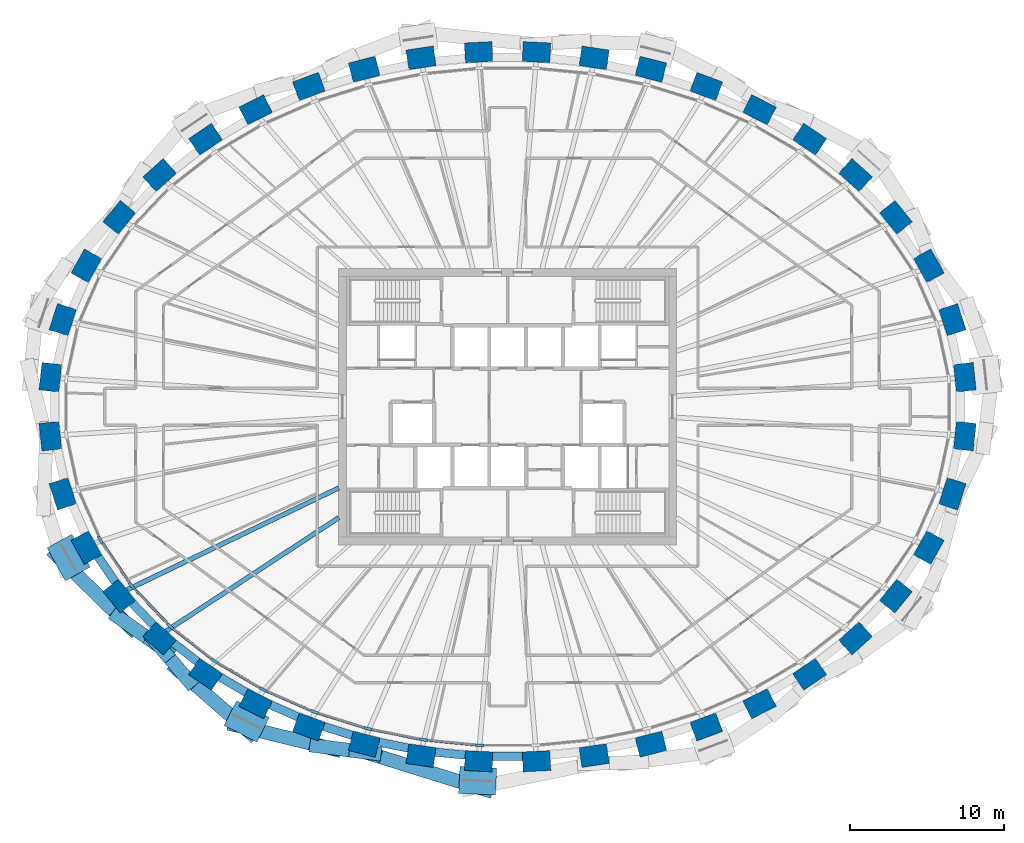
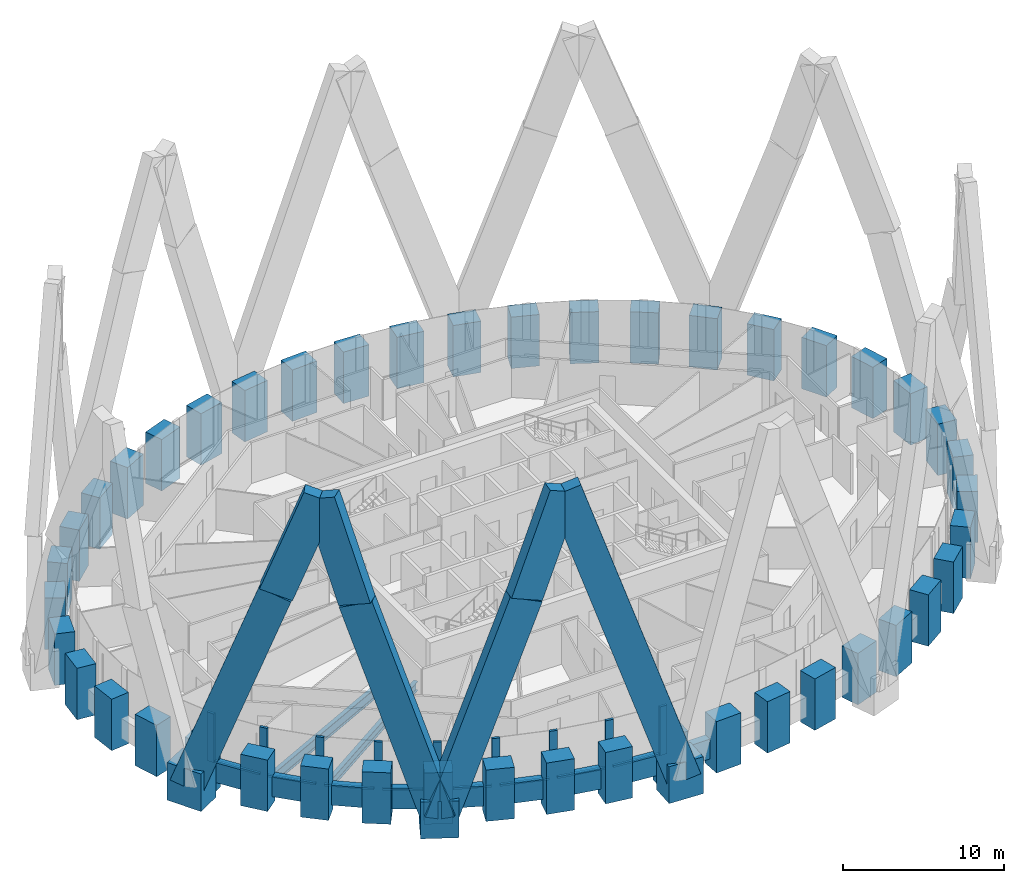
# One storey, part 1 of 13: 44 columns, 27 members, 11 beams, 1 element without a shape of its own.
"""IFC4 building model written with IfcOpenShell, lengths in metres."""

from ifc_helpers import new_model, si_unit, direction, frame, origin, origin_2d, place, context, subcontext, project, spatial, rectangle, i_section, extrude, source, transform, mapped, material, material_profile, profile_set, type_object, element, aggregate, save


model = new_model("IFC4")

# Units and contexts
model_context = context("Model", 3, precision=1e-05, world=origin(), true_north=direction((0.0, 1.0)))
body_context = subcontext(model_context, "Body", "Model", "MODEL_VIEW")
ifc_project = project(units=[si_unit("LENGTHUNIT", "METRE"), si_unit("AREAUNIT", "SQUARE_METRE"), si_unit("VOLUMEUNIT", "CUBIC_METRE"), si_unit("PLANEANGLEUNIT", "RADIAN"), si_unit("MASSUNIT", "GRAM", prefix="KILO")], contexts=[model_context])

# Site, building, storey
site_placement = place(None, origin())
site = spatial("IfcSite", under=ifc_project, at=site_placement, CompositionType="ELEMENT")
building_placement = place(site_placement, origin())
building = spatial("IfcBuilding", under=site, at=building_placement, Name="Embergate Tower", CompositionType="ELEMENT")
storey_placement = place(building_placement, frame((0.0, 0.0, 316.89990234375)))
storey = spatial("IfcBuildingStorey", under=building, at=storey_placement, Name="L74", CompositionType="ELEMENT", Elevation=316.89990234375)

# Columns
ifc_material_1 = material(Name="Concrete C50", Category="concrete")
ifc_material_profile_1 = material_profile(ifc_material_1, rectangle(XDim=1.300048828125, YDim=1.800048828125, at=origin_2d()), Name="RC 1300x1800")
ifc_profile_set_1 = profile_set([ifc_material_profile_1], Name="Concrete C50")
column_type = type_object("IfcColumnType", Name="Ring column RC 1300x1800 C50", PredefinedType="COLUMN", material=ifc_profile_set_1)
shared_shape_1 = source(origin(), body_context, "Body", "SweptSolid", [
    extrude(rectangle(XDim=1.300048828125, YDim=1.800048828125, at=origin_2d()), origin(), (0.0, 0.0, 1.0), 3.89990234375),
])
for number, where, z_axis, x_axis, name in (
    (1, (29.784912109375, 1.919921875, -1.39990234375), (0.0, 0.0, 1.0), (0.99428589498, 0.106749983816, 0.0), "COL-L74-00"),
    (2, (28.97802734375, 5.672119140625, -1.39990234375), (0.0, 0.0, 1.0), (0.950754033697, 0.309946394413, 0.0), "COL-L74-01"),
    (3, (27.43994140625, 9.178955078125, -1.39990234375), (0.0, 0.0, 1.0), (0.873500465855, 0.486823311018, 0.0), "COL-L74-02"),
    (4, (25.2939453125, 12.3359375, -1.39990234375), (0.0, 0.0, 1.0), (0.775925311702, 0.630824786022, 0.0), "COL-L74-03"),
    (5, (22.6669921875, 15.090087890625, -1.39990234375), (0.0, 0.0, 1.0), (0.669221393633, 0.743063070206, 0.0), "COL-L74-04"),
    (6, (19.675048828125, 17.426025390625, -1.39990234375), (0.0, 0.0, 1.0), (0.560393279442, 0.828226643109, 0.0), "COL-L74-05"),
    (7, (16.409912109375, 19.345947265625, -1.39990234375), (0.0, 0.0, 1.0), (0.453010512651, 0.891505174089, 0.0), "COL-L74-06"),
    (8, (12.945068359375, 20.861083984375, -1.39990234375), (0.0, 0.0, 1.0), (0.348343015724, 0.93736713373, 0.0), "COL-L74-07"),
    (9, (9.339111328125, 21.98388671875, -1.39990234375), (0.0, 0.0, 1.0), (0.24650851817, 0.969140624713, 0.0), "COL-L74-08"),
    (10, (5.638916015625, 22.72607421875, -1.39990234375), (0.0, 0.0, 1.0), (0.146929011949, 0.989147039346, 0.0), "COL-L74-09"),
    (11, (1.885986328125, 23.094970703125, -1.39990234375), (0.0, 0.0, 1.0), (0.048814904854, 0.998807841912, 0.0), "COL-L74-10"),
    (12, (-1.885986328125, 23.094970703125, -1.39990234375), (0.0, 0.0, 1.0), (-0.048814904854, 0.998807841912, 0.0), "COL-L74-11"),
    (13, (-5.638916015625, 22.72607421875, -1.39990234375), (0.0, 0.0, 1.0), (-0.146929011949, 0.989147039346, 0.0), "COL-L74-12"),
    (14, (-9.339111328125, 21.98388671875, -1.39990234375), (0.0, 0.0, 1.0), (-0.24650851817, 0.969140624713, 0.0), "COL-L74-13"),
    (15, (-12.945068359375, 20.861083984375, -1.39990234375), (0.0, 0.0, 1.0), (-0.348343015724, 0.93736713373, 0.0), "COL-L74-14"),
    (16, (-16.409912109375, 19.345947265625, -1.39990234375), (0.0, 0.0, 1.0), (-0.453010512651, 0.891505174089, 0.0), "COL-L74-15"),
    (17, (-19.675048828125, 17.426025390625, -1.39990234375), (0.0, 0.0, 1.0), (-0.560393279442, 0.828226643109, 0.0), "COL-L74-16"),
    (18, (-22.6669921875, 15.090087890625, -1.39990234375), (0.0, 0.0, 1.0), (-0.669221393633, 0.743063070206, 0.0), "COL-L74-17"),
    (19, (-25.2939453125, 12.3359375, -1.39990234375), (0.0, 0.0, 1.0), (-0.775925311702, 0.630824786022, 0.0), "COL-L74-18"),
    (20, (-27.43994140625, 9.178955078125, -1.39990234375), (0.0, 0.0, 1.0), (-0.873500465855, 0.486823311018, 0.0), "COL-L74-19"),
    (21, (-28.97802734375, 5.672119140625, -1.39990234375), (0.0, 0.0, 1.0), (-0.950754033697, 0.309946394413, 0.0), "COL-L74-20"),
    (22, (-29.784912109375, 1.919921875, -1.39990234375), (0.0, 0.0, 1.0), (-0.99428589498, 0.106749983816, 0.0), "COL-L74-21"),
    (23, (-29.784912109375, -1.919921875, -1.39990234375), (0.0, 0.0, 1.0), (-0.99428589498, -0.106749983816, 0.0), "COL-L74-22"),
    (24, (-28.97802734375, -5.672119140625, -1.39990234375), (0.0, 0.0, 1.0), (-0.950754033697, -0.309946394413, 0.0), "COL-L74-23"),
    (25, (-27.43994140625, -9.178955078125, -1.39990234375), (0.0, 0.0, 1.0), (-0.873500465855, -0.486823311018, 0.0), "COL-L74-24"),
    (26, (-25.2939453125, -12.3359375, -1.39990234375), (0.0, 0.0, 1.0), (-0.775925311702, -0.630824786022, 0.0), "COL-L74-25"),
    (27, (-22.6669921875, -15.090087890625, -1.39990234375), (0.0, 0.0, 1.0), (-0.669221393633, -0.743063070206, 0.0), "COL-L74-26"),
    (28, (-19.675048828125, -17.426025390625, -1.39990234375), (0.0, 0.0, 1.0), (-0.560393279442, -0.828226643109, 0.0), "COL-L74-27"),
    (29, (-16.409912109375, -19.345947265625, -1.39990234375), (0.0, 0.0, 1.0), (-0.453010512651, -0.891505174089, 0.0), "COL-L74-28"),
    (30, (-12.945068359375, -20.861083984375, -1.39990234375), (0.0, 0.0, 1.0), (-0.348343015724, -0.93736713373, 0.0), "COL-L74-29"),
    (31, (-9.339111328125, -21.98388671875, -1.39990234375), (0.0, 0.0, 1.0), (-0.24650851817, -0.969140624713, 0.0), "COL-L74-30"),
    (32, (-5.638916015625, -22.72607421875, -1.39990234375), (0.0, 0.0, 1.0), (-0.146929011949, -0.989147039346, 0.0), "COL-L74-31"),
    (33, (-1.885986328125, -23.094970703125, -1.39990234375), (0.0, 0.0, 1.0), (-0.048814904854, -0.998807841912, 0.0), "COL-L74-32"),
    (34, (1.885986328125, -23.094970703125, -1.39990234375), (0.0, 0.0, 1.0), (0.048814904854, -0.998807841912, 0.0), "COL-L74-33"),
    (35, (5.638916015625, -22.72607421875, -1.39990234375), (0.0, 0.0, 1.0), (0.146929011949, -0.989147039346, 0.0), "COL-L74-34"),
    (36, (9.339111328125, -21.98388671875, -1.39990234375), (0.0, 0.0, 1.0), (0.24650851817, -0.969140624713, 0.0), "COL-L74-35"),
    (37, (12.945068359375, -20.861083984375, -1.39990234375), (0.0, 0.0, 1.0), (0.348343015724, -0.93736713373, 0.0), "COL-L74-36"),
    (38, (16.409912109375, -19.345947265625, -1.39990234375), (0.0, 0.0, 1.0), (0.453010512651, -0.891505174089, 0.0), "COL-L74-37"),
    (39, (19.675048828125, -17.426025390625, -1.39990234375), (0.0, 0.0, 1.0), (0.560393279442, -0.828226643109, 0.0), "COL-L74-38"),
    (40, (22.6669921875, -15.090087890625, -1.39990234375), (0.0, 0.0, 1.0), (0.669221393633, -0.743063070206, 0.0), "COL-L74-39"),
    (41, (25.2939453125, -12.3359375, -1.39990234375), (0.0, 0.0, 1.0), (0.775925311702, -0.630824786022, 0.0), "COL-L74-40"),
    (42, (27.43994140625, -9.178955078125, -1.39990234375), (0.0, 0.0, 1.0), (0.873500465855, -0.486823311018, 0.0), "COL-L74-41"),
    (43, (28.97802734375, -5.672119140625, -1.39990234375), (0.0, 0.0, 1.0), (0.950754033697, -0.309946394413, 0.0), "COL-L74-42"),
    (44, (29.784912109375, -1.919921875, -1.39990234375), (0.0, 0.0, 1.0), (0.99428589498, -0.106749983816, 0.0), "COL-L74-43"),
):
    element("IfcColumn", number, at=place(storey_placement, frame(where, z_axis=z_axis, x_axis=x_axis)), inside=storey, type_object=column_type, Name=name, PredefinedType="COLUMN", context=body_context, shape_type="MappedRepresentation", body=[
        mapped(shared_shape_1, transform((0.0, 0.0, 0.0))),
    ])

# Beams
ifc_material_profile_2 = material_profile(ifc_material_1, rectangle(XDim=0.550048828125, YDim=1.5, at=origin_2d()), Name="RC 550x1500")
ifc_profile_set_2 = profile_set([ifc_material_profile_2], Name="Concrete C50")
beam_type_1 = type_object("IfcBeamType", Name="Spandrel beam RC 550x1500 C50", PredefinedType="BEAM", material=ifc_profile_set_2)
shared_shape_2 = source(origin(), body_context, "Body", "SweptSolid", [
    extrude(rectangle(XDim=0.550048828125, YDim=1.5, at=origin_2d()), origin(), (0.0, 0.0, 1.0), 1.960205078125),
])
beam_1_placement = place(storey_placement, frame((-26.676025390625, -9.782958984375, 0.0), z_axis=(0.562207817231, -0.826995991674, 0.0), x_axis=(0.826995991674, 0.562207817231, 0.0)))
element("IfcBeam", 45, at=beam_1_placement, inside=storey, type_object=beam_type_1, Name="SPN-L74-24", PredefinedType="BEAM", context=body_context, shape_type="MappedRepresentation", body=[
    mapped(shared_shape_2, transform((0.0, 0.0, 0.0))),
])
shared_shape_3 = source(origin(), body_context, "Body", "SweptSolid", [
    extrude(rectangle(XDim=0.550048828125, YDim=1.5, at=origin_2d()), origin(), (0.0, 0.0, 1.0), 1.955078125),
])
beam_2_placement = place(storey_placement, frame((-24.443115234375, -12.803955078125, 0.0), z_axis=(0.690558902138, -0.723276159346, 0.0), x_axis=(0.723276159346, 0.690558902138, 0.0)))
element("IfcBeam", 46, at=beam_2_placement, inside=storey, type_object=beam_type_1, Name="SPN-L74-25", PredefinedType="BEAM", context=body_context, shape_type="MappedRepresentation", body=[
    mapped(shared_shape_3, transform((0.0, 0.0, 0.0))),
])
shared_shape_4 = source(origin(), body_context, "Body", "SweptSolid", [
    extrude(rectangle(XDim=0.550048828125, YDim=1.5, at=origin_2d()), origin(), (0.0, 0.0, 1.0), 1.94873046875),
])
beam_3_placement = place(storey_placement, frame((-21.74609375, -15.412109375, 0.0), z_axis=(0.78830540841, -0.615284148236, 0.0), x_axis=(0.615284148236, 0.78830540841, 0.0)))
element("IfcBeam", 47, at=beam_3_placement, inside=storey, type_object=beam_type_1, Name="SPN-L74-26", PredefinedType="BEAM", context=body_context, shape_type="MappedRepresentation", body=[
    mapped(shared_shape_4, transform((0.0, 0.0, 0.0))),
])
shared_shape_5 = source(origin(), body_context, "Body", "SweptSolid", [
    extrude(rectangle(XDim=0.550048828125, YDim=1.5, at=origin_2d()), origin(), (0.0, 0.0, 1.0), 1.944580078125),
])
beam_4_placement = place(storey_placement, frame((-18.720947265625, -17.623046875, 0.0), z_axis=(0.861947125599, -0.506998178174, 0.0), x_axis=(0.506998178174, 0.861947125599, 0.0)))
element("IfcBeam", 48, at=beam_4_placement, inside=storey, type_object=beam_type_1, Name="SPN-L74-27", PredefinedType="BEAM", context=body_context, shape_type="MappedRepresentation", body=[
    mapped(shared_shape_5, transform((0.0, 0.0, 0.0))),
])
shared_shape_6 = source(origin(), body_context, "Body", "SweptSolid", [
    extrude(rectangle(XDim=0.550048828125, YDim=1.5, at=origin_2d()), origin(), (0.0, 0.0, 1.0), 1.943603515625),
])
beam_5_placement = place(storey_placement, frame((-15.44189453125, -19.427001953125, 0.0), z_axis=(0.916367666651, -0.400337731818, 0.0), x_axis=(0.400337731818, 0.916367666651, 0.0)))
element("IfcBeam", 49, at=beam_5_placement, inside=storey, type_object=beam_type_1, Name="SPN-L74-28", PredefinedType="BEAM", context=body_context, shape_type="MappedRepresentation", body=[
    mapped(shared_shape_6, transform((0.0, 0.0, 0.0))),
])
shared_shape_7 = source(origin(), body_context, "Body", "SweptSolid", [
    extrude(rectangle(XDim=0.550048828125, YDim=1.5, at=origin_2d()), origin(), (0.0, 0.0, 1.0), 1.940673828125),
])
beam_6_placement = place(storey_placement, frame((-11.97509765625, -20.833984375, 0.0), z_axis=(0.954797285525, -0.297257705625, 0.0), x_axis=(0.297257705625, 0.954797285525, 0.0)))
element("IfcBeam", 50, at=beam_6_placement, inside=storey, type_object=beam_type_1, Name="SPN-L74-29", PredefinedType="BEAM", context=body_context, shape_type="MappedRepresentation", body=[
    mapped(shared_shape_7, transform((0.0, 0.0, 0.0))),
])
shared_shape_8 = source(origin(), body_context, "Body", "SweptSolid", [
    extrude(rectangle(XDim=0.550048828125, YDim=1.5, at=origin_2d()), origin(), (0.0, 0.0, 1.0), 1.93994140625),
])
for number, where, z_axis, x_axis, name in (
    (51, (-8.3779296875, -21.85595703125, 0.0), (0.980410889527, -0.1969631633, 0.0), (0.1969631633, 0.980410889527, 0.0), "SPN-L74-30"),
    (52, (-0.969970703125, -22.781005859375, 0.0), (1.0, 0.0, 0.0), (0.0, 1.0, 0.0), "SPN-L74-32"),
):
    element("IfcBeam", number, at=place(storey_placement, frame(where, z_axis=z_axis, x_axis=x_axis)), inside=storey, type_object=beam_type_1, Name=name, PredefinedType="BEAM", context=body_context, shape_type="MappedRepresentation", body=[
        mapped(shared_shape_8, transform((0.0, 0.0, 0.0))),
    ])
shared_shape_9 = source(origin(), body_context, "Body", "SweptSolid", [
    extrude(rectangle(XDim=0.550048828125, YDim=1.5, at=origin_2d()), origin(), (0.0, 0.0, 1.0), 1.938232421875),
])
beam_7_placement = place(storey_placement, frame((-4.696044921875, -22.5029296875, 0.0), z_axis=(0.995174653714, -0.098119358973, 0.0), x_axis=(0.098119358973, 0.995174653714, 0.0)))
element("IfcBeam", 53, at=beam_7_placement, inside=storey, type_object=beam_type_1, Name="SPN-L74-31", PredefinedType="BEAM", context=body_context, shape_type="MappedRepresentation", body=[
    mapped(shared_shape_9, transform((0.0, 0.0, 0.0))),
])
ifc_material_2 = material(Name="Steel Q355B", Category="steel")
ifc_material_profile_3 = material_profile(ifc_material_2, i_section(OverallWidth=0.300048828125, OverallDepth=0.800048828125, WebThickness=0.013916015625, FlangeThickness=0.02587890625, FilletRadius=0.028076171875, at=origin_2d()), Name="HN 800x300x14x26")
ifc_profile_set_3 = profile_set([ifc_material_profile_3], Name="Steel Q355 grade B")
beam_type_2 = type_object("IfcBeamType", Name="Radial girder HN 800x300x14x26", PredefinedType="BEAM", material=ifc_profile_set_3)
shared_shape_10 = source(origin(), body_context, "Body", "SweptSolid", [
    extrude(i_section(OverallWidth=0.300048828125, OverallDepth=0.800048828125, WebThickness=0.013916015625, FlangeThickness=0.02587890625, FilletRadius=0.028076171875, at=origin_2d()), origin(), (0.0, 0.0, 1.0), 15.302734375),
])
beam_8_placement = place(storey_placement, frame((-24.7900390625, -11.926025390625, -0.599853515625), z_axis=(0.901145046511, 0.433517710305, 0.0), x_axis=(-0.433517710305, 0.901145046511, 0.0)))
element("IfcBeam", 54, at=beam_8_placement, inside=storey, type_object=beam_type_2, Name="GIR-L74-25", PredefinedType="BEAM", context=body_context, shape_type="MappedRepresentation", body=[
    mapped(shared_shape_10, transform((0.0, 0.0, 0.0))),
])
ifc_material_profile_4 = material_profile(ifc_material_2, i_section(OverallWidth=0.300048828125, OverallDepth=0.699951171875, WebThickness=0.012939453125, FlangeThickness=0.02392578125, FilletRadius=0.01806640625, at=origin_2d()), Name="HN 700x300x13x24")
ifc_profile_set_4 = profile_set([ifc_material_profile_4], Name="Steel Q355 grade B")
beam_type_3 = type_object("IfcBeamType", Name="Radial girder HN 700x300x13x24", PredefinedType="BEAM", material=ifc_profile_set_4)
shared_shape_11 = source(origin(), body_context, "Body", "SweptSolid", [
    extrude(i_section(OverallWidth=0.300048828125, OverallDepth=0.699951171875, WebThickness=0.012939453125, FlangeThickness=0.02392578125, FilletRadius=0.01806640625, at=origin_2d()), origin(), (0.0, 0.0, 1.0), 13.439453125),
])
beam_9_placement = place(storey_placement, frame((-22.23193359375, -14.60693359375, -0.5498046875), z_axis=(0.835743114623, 0.549120611851, 0.0), x_axis=(-0.549120611851, 0.835743114623, 0.0)))
element("IfcBeam", 55, at=beam_9_placement, inside=storey, type_object=beam_type_3, Name="GIR-L74-26", PredefinedType="BEAM", context=body_context, shape_type="MappedRepresentation", body=[
    mapped(shared_shape_11, transform((0.0, 0.0, 0.0))),
])

# Members
ifc_material_3 = material(Name="Concrete C70", Category="concrete")
ifc_material_profile_5 = material_profile(ifc_material_3, rectangle(XDim=1.800048828125, YDim=2.39990234375, at=origin_2d()), Name="RC 1800x2400")
ifc_profile_set_5 = profile_set([ifc_material_profile_5], Name="Concrete C70")
member_type_1 = type_object("IfcMemberType", Name="Lattice node block RC 1800x2400", PredefinedType="POST", material=ifc_profile_set_5)
shared_shape_12 = source(origin(), body_context, "Body", "SweptSolid", [
    extrude(rectangle(XDim=1.800048828125, YDim=2.39990234375, at=origin_2d()), origin(), (0.0, 0.0, 1.0), 2.800048828125),
])
member_1_placement = place(storey_placement, frame((-16.9990234375, -20.5048828125, -1.39990234375), z_axis=(0.0, 0.0, 1.0), x_axis=(-0.453010512651, -0.891505174089, 0.0)))
element("IfcMember", 56, at=member_1_placement, inside=storey, type_object=member_type_1, Name="NOD-L74-28", PredefinedType="POST", context=body_context, shape_type="MappedRepresentation", body=[
    mapped(shared_shape_12, transform((0.0, 0.0, 0.0))),
])
ifc_material_profile_6 = material_profile(ifc_material_3, rectangle(XDim=1.75, YDim=2.39990234375, at=origin_2d()), Name="RC 1750x2400")
ifc_profile_set_6 = profile_set([ifc_material_profile_6], Name="Concrete C70")
member_type_2 = type_object("IfcMemberType", Name="Lattice node block RC 1750x2400", PredefinedType="POST", material=ifc_profile_set_6)
shared_shape_13 = source(origin(), body_context, "Body", "SweptSolid", [
    extrude(rectangle(XDim=1.75, YDim=2.39990234375, at=origin_2d()), origin(), (0.0, 0.0, 1.0), 2.800048828125),
])
member_2_placement = place(storey_placement, frame((-1.947998046875, -24.367919921875, -1.39990234375), z_axis=(0.0, 0.0, 1.0), x_axis=(-0.048814904854, -0.998807841912, 0.0)))
element("IfcMember", 57, at=member_2_placement, inside=storey, type_object=member_type_2, Name="NOD-L74-32", PredefinedType="POST", context=body_context, shape_type="MappedRepresentation", body=[
    mapped(shared_shape_13, transform((0.0, 0.0, 0.0))),
])
ifc_material_profile_7 = material_profile(ifc_material_3, rectangle(XDim=1.85009765625, YDim=2.449951171875, at=origin_2d()), Name="RC 1850x2450")
ifc_profile_set_7 = profile_set([ifc_material_profile_7], Name="Concrete C70")
member_type_3 = type_object("IfcMemberType", Name="Lattice node block RC 1850x2450", PredefinedType="POST", material=ifc_profile_set_7)
shared_shape_14 = source(origin(), body_context, "Body", "SweptSolid", [
    extrude(rectangle(XDim=1.85009765625, YDim=2.449951171875, at=origin_2d()), origin(), (0.0, 0.0, 1.0), 2.849853515625),
])
member_3_placement = place(storey_placement, frame((-28.597900390625, -9.823974609375, -1.4248046875), z_axis=(0.0, 0.0, 1.0), x_axis=(-0.873500465855, -0.486823311018, 0.0)))
element("IfcMember", 58, at=member_3_placement, inside=storey, type_object=member_type_3, Name="NOD-L74-24", PredefinedType="POST", context=body_context, shape_type="MappedRepresentation", body=[
    mapped(shared_shape_14, transform((0.0, 0.0, 0.0))),
])
ifc_material_profile_8 = material_profile(ifc_material_3, rectangle(XDim=0.89990234375, YDim=2.199951171875, at=origin_2d()), Name="RC 900x2200")
ifc_profile_set_8 = profile_set([ifc_material_profile_8], Name="Concrete C70")
member_type_4 = type_object("IfcMemberType", Name="Lattice diagonal terracotta-faced RC 900x2200", PredefinedType="BRACE", material=ifc_profile_set_8)
shared_shape_15 = source(origin(), body_context, "Body", "SweptSolid", [
    extrude(rectangle(XDim=0.89990234375, YDim=2.199951171875, at=origin_2d()), origin(), (0.0, 0.0, 1.0), 16.60693359375),
])
member_4_placement = place(storey_placement, frame((-28.991943359375, -10.04296875, 0.0), z_axis=(0.245199112632, -0.23971561428, 0.939368840996), x_axis=(0.699066002223, 0.715057147742, 0.0)))
element("IfcMember", 59, at=member_4_placement, inside=storey, type_object=member_type_4, Name="BRC-L74-24-26-S00", PredefinedType="BRACE", context=body_context, shape_type="MappedRepresentation", body=[
    mapped(shared_shape_15, transform((0.0, 0.0, 0.0))),
])
shared_shape_16 = source(origin(), body_context, "Body", "SweptSolid", [
    extrude(rectangle(XDim=0.89990234375, YDim=2.199951171875, at=origin_2d()), origin(), (0.0, 0.0, 1.0), 7.996337890625),
])
member_5_placement = place(storey_placement, frame((-24.919921875, -14.02392578125, 15.60009765625), z_axis=(0.283118079074, -0.200347334723, 0.937925955911), x_axis=(0.577643591187, 0.816289091904, 0.0)))
element("IfcMember", 60, at=member_5_placement, inside=storey, type_object=member_type_4, Name="BRC-L74-24-26-S01", PredefinedType="BRACE", context=body_context, shape_type="MappedRepresentation", body=[
    mapped(shared_shape_16, transform((0.0, 0.0, 0.0))),
])
shared_shape_17 = source(origin(), body_context, "Body", "SweptSolid", [
    extrude(rectangle(XDim=0.89990234375, YDim=2.199951171875, at=origin_2d()), origin(), (0.0, 0.0, 1.0), 16.452392578125),
])
member_6_placement = place(storey_placement, frame((-17.18505859375, -20.87109375, 0.0), z_axis=(-0.239535140842, 0.20866950505, 0.948198267223), x_axis=(-0.656856143168, -0.754015919714, 0.0)))
element("IfcMember", 61, at=member_6_placement, inside=storey, type_object=member_type_4, Name="BRC-L74-28-26-S00", PredefinedType="BRACE", context=body_context, shape_type="MappedRepresentation", body=[
    mapped(shared_shape_17, transform((0.0, 0.0, 0.0))),
])
shared_shape_18 = source(origin(), body_context, "Body", "SweptSolid", [
    extrude(rectangle(XDim=0.89990234375, YDim=2.199951171875, at=origin_2d()), origin(), (0.0, 0.0, 1.0), 7.865966796875),
])
member_7_placement = place(storey_placement, frame((-21.1259765625, -17.43798828125, 15.60009765625), z_axis=(-0.194511073293, 0.230359212699, 0.953467396134), x_axis=(-0.76405359641, -0.64515277401, 0.0)))
element("IfcMember", 62, at=member_7_placement, inside=storey, type_object=member_type_4, Name="BRC-L74-28-26-S01", PredefinedType="BRACE", context=body_context, shape_type="MappedRepresentation", body=[
    mapped(shared_shape_18, transform((0.0, 0.0, 0.0))),
])
shared_shape_19 = source(origin(), body_context, "Body", "SweptSolid", [
    extrude(rectangle(XDim=0.89990234375, YDim=2.199951171875, at=origin_2d()), origin(), (0.0, 0.0, 1.0), 16.53662109375),
])
member_8_placement = place(storey_placement, frame((-17.18505859375, -20.87109375, 0.0), z_axis=(0.322260439057, -0.078793474585, 0.943366205554), x_axis=(0.237506280802, 0.971386002874, 0.0)))
element("IfcMember", 63, at=member_8_placement, inside=storey, type_object=member_type_4, Name="BRC-L74-28-30-S00", PredefinedType="BRACE", context=body_context, shape_type="MappedRepresentation", body=[
    mapped(shared_shape_19, transform((0.0, 0.0, 0.0))),
])
shared_shape_20 = source(origin(), body_context, "Body", "SweptSolid", [
    extrude(rectangle(XDim=0.89990234375, YDim=2.199951171875, at=origin_2d()), origin(), (0.0, 0.0, 1.0), 7.940673828125),
])
member_9_placement = place(storey_placement, frame((-11.85595703125, -22.174072265625, 15.60009765625), z_axis=(0.325780111359, -0.042182928726, 0.944504060112), x_axis=(0.128410842826, 0.991721057276, 0.0)))
element("IfcMember", 64, at=member_9_placement, inside=storey, type_object=member_type_4, Name="BRC-L74-28-30-S01", PredefinedType="BRACE", context=body_context, shape_type="MappedRepresentation", body=[
    mapped(shared_shape_20, transform((0.0, 0.0, 0.0))),
])
shared_shape_21 = source(origin(), body_context, "Body", "SweptSolid", [
    extrude(rectangle(XDim=0.89990234375, YDim=2.199951171875, at=origin_2d()), origin(), (0.0, 0.0, 1.0), 24.33251953125),
])
member_10_placement = place(storey_placement, frame((-1.968017578125, -24.780029296875, 0.0), z_axis=(-0.300050805955, 0.093331302357, 0.94934650252), x_axis=(-0.297014796797, -0.954872876609, 0.0)))
element("IfcMember", 65, at=member_10_placement, inside=storey, type_object=member_type_4, Name="BRC-L74-32-30-S00", PredefinedType="BRACE", context=body_context, shape_type="MappedRepresentation", body=[
    mapped(shared_shape_21, transform((0.0, 0.0, 0.0))),
])

# Curtain wall, members
ifc_material_4 = material(Name="Aluminium and glass", Category="aluminium")
curtain_wall_type = type_object("IfcCurtainWallType", Name="Recessed office glazing", PredefinedType="NOTDEFINED", material=ifc_material_4)
curtain_wall_placement = place(storey_placement, origin())
curtain_wall = element("IfcCurtainWall", 66, at=curtain_wall_placement, inside=storey, type_object=curtain_wall_type, Name="Recessed office glazing ring", ObjectType="RECESSED OFFICE GLAZING", PredefinedType="USERDEFINED")
ifc_material_5 = material(Name="Aluminium, thermally broken", Category="aluminium")
ifc_material_profile_9 = material_profile(ifc_material_5, rectangle(XDim=0.179931640625, YDim=0.52001953125, at=origin_2d()), Name="AL 520x180")
ifc_profile_set_9 = profile_set([ifc_material_profile_9], Name="Aluminium, thermally broken")
member_type_5 = type_object("IfcMemberType", Name="Office mullion", PredefinedType="MULLION", material=ifc_profile_set_9)
shared_shape_22 = source(origin(), body_context, "Body", "SweptSolid", [
    extrude(rectangle(XDim=0.179931640625, YDim=0.52001953125, at=origin_2d()), origin(), (0.0, 0.0, 1.0), 3.7001953125),
])
member_11_placement = place(storey_placement, frame((-26.53173828125, -8.67236328125, 0.0), z_axis=(0.0, 0.0, 1.0), x_axis=(0.874991756265, 0.484137817639, 0.0)))
member_11 = element("IfcMember", 67, at=member_11_placement, type_object=member_type_5, Name="CW mullion 25", PredefinedType="MULLION", context=body_context, shape_type="MappedRepresentation", body=[
    mapped(shared_shape_22, transform((0.0, 0.0, 0.0))),
])
member_12_placement = place(storey_placement, frame((-24.48681640625, -11.6796875, 0.0), z_axis=(0.0, 0.0, 1.0), x_axis=(0.777861596203, 0.628435626897, 0.0)))
member_12 = element("IfcMember", 68, at=member_12_placement, type_object=member_type_5, Name="CW mullion 26", PredefinedType="MULLION", context=body_context, shape_type="MappedRepresentation", body=[
    mapped(shared_shape_22, transform((0.0, 0.0, 0.0))),
])
member_13_placement = place(storey_placement, frame((-21.97119140625, -14.3173828125, 0.0), z_axis=(0.0, 0.0, 1.0), x_axis=(0.671217477801, 0.741260478843, 0.0)))
member_13 = element("IfcMember", 69, at=member_13_placement, type_object=member_type_5, Name="CW mullion 27", PredefinedType="MULLION", context=body_context, shape_type="MappedRepresentation", body=[
    mapped(shared_shape_22, transform((0.0, 0.0, 0.0))),
])
member_14_placement = place(storey_placement, frame((-19.092041015625, -16.564697265625, 0.0), z_axis=(0.0, 0.0, 1.0), x_axis=(0.562210401679, 0.82699423471, 0.0)))
member_14 = element("IfcMember", 70, at=member_14_placement, type_object=member_type_5, Name="CW mullion 28", PredefinedType="MULLION", context=body_context, shape_type="MappedRepresentation", body=[
    mapped(shared_shape_22, transform((0.0, 0.0, 0.0))),
])
member_15_placement = place(storey_placement, frame((-15.9384765625, -18.418701171875, 0.0), z_axis=(0.0, 0.0, 1.0), x_axis=(0.454506716612, 0.890743310138, 0.0)))
member_15 = element("IfcMember", 71, at=member_15_placement, type_object=member_type_5, Name="CW mullion 29", PredefinedType="MULLION", context=body_context, shape_type="MappedRepresentation", body=[
    mapped(shared_shape_22, transform((0.0, 0.0, 0.0))),
])
member_16_placement = place(storey_placement, frame((-12.582763671875, -19.885986328125, 0.0), z_axis=(0.0, 0.0, 1.0), x_axis=(0.349501047589, 0.936935973124, 0.0)))
member_16 = element("IfcMember", 72, at=member_16_placement, type_object=member_type_5, Name="CW mullion 30", PredefinedType="MULLION", context=body_context, shape_type="MappedRepresentation", body=[
    mapped(shared_shape_22, transform((0.0, 0.0, 0.0))),
])
member_17_placement = place(storey_placement, frame((-9.082763671875, -20.97607421875, 0.0), z_axis=(0.0, 0.0, 1.0), x_axis=(0.247310190257, 0.968936360034, 0.0)))
member_17 = element("IfcMember", 73, at=member_17_placement, type_object=member_type_5, Name="CW mullion 31", PredefinedType="MULLION", context=body_context, shape_type="MappedRepresentation", body=[
    mapped(shared_shape_22, transform((0.0, 0.0, 0.0))),
])
member_18_placement = place(storey_placement, frame((-5.486328125, -21.697265625, 0.0), z_axis=(0.0, 0.0, 1.0), x_axis=(0.147410656556, 0.989075375456, 0.0)))
member_18 = element("IfcMember", 74, at=member_18_placement, type_object=member_type_5, Name="CW mullion 32", PredefinedType="MULLION", context=body_context, shape_type="MappedRepresentation", body=[
    mapped(shared_shape_22, transform((0.0, 0.0, 0.0))),
])
member_19_placement = place(storey_placement, frame((-1.834716796875, -22.05615234375, 0.0), z_axis=(0.0, 0.0, 1.0), x_axis=(0.048971796621, 0.998800161762, 0.0)))
member_19 = element("IfcMember", 75, at=member_19_placement, type_object=member_type_5, Name="CW mullion 33", PredefinedType="MULLION", context=body_context, shape_type="MappedRepresentation", body=[
    mapped(shared_shape_22, transform((0.0, 0.0, 0.0))),
])
ifc_material_profile_10 = material_profile(ifc_material_5, rectangle(XDim=0.179931640625, YDim=0.14990234375, at=origin_2d()), Name="AL 150x180")
ifc_profile_set_10 = profile_set([ifc_material_profile_10], Name="Aluminium, thermally broken")
member_type_6 = type_object("IfcMemberType", Name="Office sill transom", PredefinedType="USERDEFINED", material=ifc_profile_set_10)
shared_shape_23 = source(origin(), body_context, "Body", "SweptSolid", [
    extrude(rectangle(XDim=0.179931640625, YDim=0.14990234375, at=origin_2d()), origin(), (0.0, 0.0, 1.0), 3.116455078125),
])
member_20_placement = place(storey_placement, frame((-26.385498046875, -8.887451171875, 0.0751953125), z_axis=(0.562305735985, -0.826929416141, 0.0), x_axis=(0.826929416141, 0.562305735985, 0.0)))
member_20 = element("IfcMember", 76, at=member_20_placement, type_object=member_type_6, Name="CW transom 25.1", ObjectType="TRANSOM", PredefinedType="USERDEFINED", context=body_context, shape_type="MappedRepresentation", body=[
    mapped(shared_shape_23, transform((0.0, 0.0, 0.0))),
])
shared_shape_24 = source(origin(), body_context, "Body", "SweptSolid", [
    extrude(rectangle(XDim=0.179931640625, YDim=0.14990234375, at=origin_2d()), origin(), (0.0, 0.0, 1.0), 3.125244140625),
])
member_21_placement = place(storey_placement, frame((-24.307373046875, -11.86767578125, 0.0751953125), z_axis=(0.69011149361, -0.723703065067, 0.0), x_axis=(0.723703065067, 0.69011149361, 0.0)))
member_21 = element("IfcMember", 77, at=member_21_placement, type_object=member_type_6, Name="CW transom 26.1", ObjectType="TRANSOM", PredefinedType="USERDEFINED", context=body_context, shape_type="MappedRepresentation", body=[
    mapped(shared_shape_24, transform((0.0, 0.0, 0.0))),
])
shared_shape_25 = source(origin(), body_context, "Body", "SweptSolid", [
    extrude(rectangle(XDim=0.179931640625, YDim=0.14990234375, at=origin_2d()), origin(), (0.0, 0.0, 1.0), 3.132080078125),
])
member_22_placement = place(storey_placement, frame((-21.76611328125, -14.477294921875, 0.0751953125), z_axis=(0.788280741955, -0.615315749727, 0.0), x_axis=(0.615315749727, 0.788280741955, 0.0)))
member_22 = element("IfcMember", 78, at=member_22_placement, type_object=member_type_6, Name="CW transom 27.1", ObjectType="TRANSOM", PredefinedType="USERDEFINED", context=body_context, shape_type="MappedRepresentation", body=[
    mapped(shared_shape_25, transform((0.0, 0.0, 0.0))),
])
shared_shape_26 = source(origin(), body_context, "Body", "SweptSolid", [
    extrude(rectangle(XDim=0.179931640625, YDim=0.14990234375, at=origin_2d()), origin(), (0.0, 0.0, 1.0), 3.13818359375),
])
member_23_placement = place(storey_placement, frame((-18.867919921875, -16.6962890625, 0.0751953125), z_axis=(0.862044187524, -0.506833127129, 0.0), x_axis=(0.506833127129, 0.862044187524, 0.0)))
member_23 = element("IfcMember", 79, at=member_23_placement, type_object=member_type_6, Name="CW transom 28.1", ObjectType="TRANSOM", PredefinedType="USERDEFINED", context=body_context, shape_type="MappedRepresentation", body=[
    mapped(shared_shape_26, transform((0.0, 0.0, 0.0))),
])
shared_shape_27 = source(origin(), body_context, "Body", "SweptSolid", [
    extrude(rectangle(XDim=0.179931640625, YDim=0.14990234375, at=origin_2d()), origin(), (0.0, 0.0, 1.0), 3.142578125),
])
member_24_placement = place(storey_placement, frame((-15.7001953125, -18.522705078125, 0.0751953125), z_axis=(0.916239332715, -0.400631358217, 0.0), x_axis=(0.400631358217, 0.916239332715, 0.0)))
member_24 = element("IfcMember", 80, at=member_24_placement, type_object=member_type_6, Name="CW transom 29.1", ObjectType="TRANSOM", PredefinedType="USERDEFINED", context=body_context, shape_type="MappedRepresentation", body=[
    mapped(shared_shape_27, transform((0.0, 0.0, 0.0))),
])
shared_shape_28 = source(origin(), body_context, "Body", "SweptSolid", [
    extrude(rectangle(XDim=0.179931640625, YDim=0.14990234375, at=origin_2d()), origin(), (0.0, 0.0, 1.0), 3.145751953125),
])
member_25_placement = place(storey_placement, frame((-12.33447265625, -19.96337890625, 0.0751953125), z_axis=(0.954775040365, -0.297329148077, 0.0), x_axis=(0.297329148077, 0.954775040365, 0.0)))
member_25 = element("IfcMember", 81, at=member_25_placement, type_object=member_type_6, Name="CW transom 30.1", ObjectType="TRANSOM", PredefinedType="USERDEFINED", context=body_context, shape_type="MappedRepresentation", body=[
    mapped(shared_shape_28, transform((0.0, 0.0, 0.0))),
])
shared_shape_29 = source(origin(), body_context, "Body", "SweptSolid", [
    extrude(rectangle(XDim=0.179931640625, YDim=0.14990234375, at=origin_2d()), origin(), (0.0, 0.0, 1.0), 3.148193359375),
])
member_26_placement = place(storey_placement, frame((-8.827880859375, -21.027099609375, 0.0751953125), z_axis=(0.980485111411, -0.19659335264, 0.0), x_axis=(0.19659335264, 0.980485111411, 0.0)))
member_26 = element("IfcMember", 82, at=member_26_placement, type_object=member_type_6, Name="CW transom 31.1", ObjectType="TRANSOM", PredefinedType="USERDEFINED", context=body_context, shape_type="MappedRepresentation", body=[
    mapped(shared_shape_29, transform((0.0, 0.0, 0.0))),
])
shared_shape_30 = source(origin(), body_context, "Body", "SweptSolid", [
    extrude(rectangle(XDim=0.179931640625, YDim=0.14990234375, at=origin_2d()), origin(), (0.0, 0.0, 1.0), 3.149169921875),
])
member_27_placement = place(storey_placement, frame((-5.2275390625, -21.72265625, 0.0751953125), z_axis=(0.995202362026, -0.097837920143, 0.0), x_axis=(0.097837920143, 0.995202362026, 0.0)))
member_27 = element("IfcMember", 83, at=member_27_placement, type_object=member_type_6, Name="CW transom 32.1", ObjectType="TRANSOM", PredefinedType="USERDEFINED", context=body_context, shape_type="MappedRepresentation", body=[
    mapped(shared_shape_30, transform((0.0, 0.0, 0.0))),
])
aggregate(curtain_wall, [member_11, member_12, member_13, member_14, member_15, member_16, member_17, member_18, member_19, member_20, member_21, member_22, member_23, member_24, member_25, member_26, member_27])

save(model, "model.ifc")
